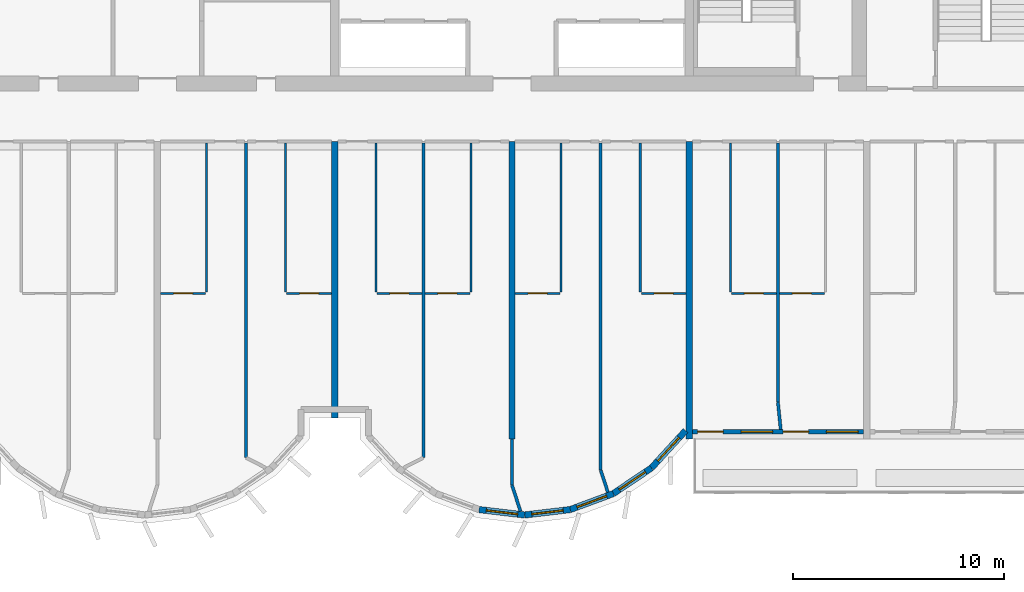
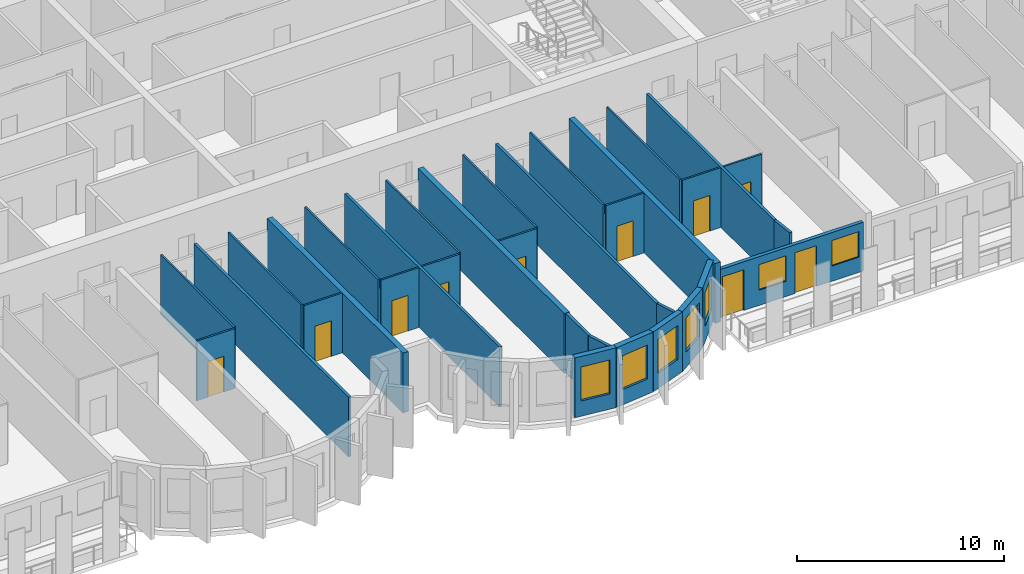
# One storey, part 5 of 13: 32 walls, 10 doors, 7 windows, 17 openings.
"""IFC4 building model written with IfcOpenShell, lengths in metres."""

from ifc_helpers import new_model, si_unit, direction, frame, frame_2d, origin, place, context, subcontext, project, spatial, rectangle, extrude, source, transform, mapped, material, layer, layer_set, type_object, element, fill, save


model = new_model("IFC4")

# Units and contexts
model_context = context("Model", 3, precision=1e-05, world=origin(), true_north=direction((0.0, 1.0)))
body_context = subcontext(model_context, "Body", "Model", "MODEL_VIEW")
ifc_project = project(units=[si_unit("LENGTHUNIT", "METRE"), si_unit("AREAUNIT", "SQUARE_METRE"), si_unit("VOLUMEUNIT", "CUBIC_METRE"), si_unit("PLANEANGLEUNIT", "RADIAN"), si_unit("MASSUNIT", "GRAM", prefix="KILO")], contexts=[model_context])

# Site, building, storey
site_placement = place(None, origin())
site = spatial("IfcSite", under=ifc_project, at=site_placement, CompositionType="ELEMENT")
building_placement = place(site_placement, origin())
building = spatial("IfcBuilding", under=site, at=building_placement, Name="Vanashikhar Sky Hotel", CompositionType="ELEMENT")
storey_placement = place(building_placement, frame((0.0, 0.0, 178.199951171875)))
storey = spatial("IfcBuildingStorey", under=building, at=storey_placement, Name="L43", CompositionType="ELEMENT", Elevation=178.199951171875)

# Walls
ifc_material_1 = material(Name="Concrete M60", Category="concrete")
ifc_layer_1 = layer(ifc_material_1, 0.300048828125)
ifc_layer_set_1 = layer_set([ifc_layer_1], Name="RC shear wall 300 Concrete M60")
wall_type_1 = type_object("IfcWallType", Name="RC shear wall 300 Concrete M60", PredefinedType="SHEAR", material=ifc_layer_set_1)
shared_shape_1 = source(origin(), body_context, "Body", "SweptSolid", [
    extrude(rectangle(XDim=14.10009765625, YDim=0.300048828125, at=frame_2d((7.050048828125, 0.0))), origin(), (0.0, 0.0, 1.0), 3.52001953125),
])
for number, where, z_axis, x_axis, name in (
    (1, (58.800048828125, 5.5, 0.0), (0.0, 0.0, 1.0), (0.0, 1.0, 0.0), "CW-L43-XW08-1"),
    (2, (67.199951171875, 5.5, 0.0), (0.0, 0.0, 1.0), (0.0, 1.0, 0.0), "CW-L43-XW09-1"),
):
    element("IfcWall", number, at=place(storey_placement, frame(where, z_axis=z_axis, x_axis=x_axis)), inside=storey, type_object=wall_type_1, Name=name, PredefinedType="SHEAR", context=body_context, shape_type="MappedRepresentation", body=[
        mapped(shared_shape_1, transform((0.0, 0.0, 0.0), scale=1.0)),
    ])
shared_shape_2 = source(origin(), body_context, "Body", "SweptSolid", [
    extrude(rectangle(XDim=13.10009765625, YDim=0.300048828125, at=frame_2d((6.550048828125, 0.0))), origin(), (0.0, 0.0, 1.0), 3.52001953125),
])
wall_1_placement = place(storey_placement, frame((50.39990234375, 6.5, 0.0), z_axis=(0.0, 0.0, 1.0), x_axis=(0.0, 1.0, 0.0)))
element("IfcWall", 3, at=wall_1_placement, inside=storey, type_object=wall_type_1, Name="CW-L43-XW07-1", PredefinedType="SHEAR", context=body_context, shape_type="MappedRepresentation", body=[
    mapped(shared_shape_2, transform((0.0, 0.0, 0.0), scale=1.0)),
])

# Wall, opening, window
ifc_material_2 = material(Name="Concrete M50", Category="concrete")
ifc_layer_2 = layer(ifc_material_2, 0.300048828125)
ifc_layer_set_2 = layer_set([ifc_layer_2], Name="Lobe wall 300")
wall_type_2 = type_object("IfcWallType", Name="Lobe wall 300", PredefinedType="SOLIDWALL", material=ifc_layer_set_2)
shared_shape_3 = source(origin(), body_context, "Body", "SweptSolid", [
    extrude(rectangle(XDim=2.398193359375, YDim=0.300048828125, at=frame_2d((1.19921875, 0.0))), origin(), (0.0, 0.0, 1.0), 3.52001953125),
])
wall_2_placement = place(storey_placement, frame((65.404296875, 4.13134765625, 0.0), z_axis=(0.0, 0.0, 1.0), x_axis=(0.675374189419, 0.737475222815, 0.0)))
wall_2 = element("IfcWall", 4, at=wall_2_placement, inside=storey, type_object=wall_type_2, Name="Lobe wall", PredefinedType="SOLIDWALL", context=body_context, shape_type="MappedRepresentation", body=[
    mapped(shared_shape_3, transform((0.0, 0.0, 0.0), scale=1.0)),
])
shared_shape_4 = source(origin(), body_context, "Body", "SweptSolid", [
    extrude(rectangle(XDim=1.5, YDim=2.0, at=frame_2d((0.75, 1.0))), frame((0.0, 0.16015625, 0.0), z_axis=(0.0, -1.0, 0.0), x_axis=(1.0, 0.0, 0.0)), (0.0, 0.0, 1.0), 0.320068359375),
])
opening_1_placement = place(wall_2_placement, frame((0.44921875, 0.0, 0.89990234375)))
opening_1 = element("IfcOpeningElement", 5, at=opening_1_placement, cuts=wall_2, Name="Opening WN-2", PredefinedType="OPENING", context=body_context, shape_type="MappedRepresentation", body=[
    mapped(shared_shape_4, transform((0.0, 0.0, 0.0), scale=1.0)),
])
ifc_material_3 = material(Name="Glass", Category="glass")
window_type_1 = type_object("IfcWindowType", Name="Lobe window 1500 x 2000", PartitioningType="SINGLE_PANEL", PredefinedType="WINDOW", material=ifc_material_3)
shared_shape_5 = source(origin(), body_context, "Body", "SweptSolid", [
    extrude(rectangle(XDim=1.5, YDim=2.0, at=frame_2d((0.75, 1.0))), frame((0.0, 0.030029296875, 0.0), z_axis=(0.0, -1.0, 0.0), x_axis=(1.0, 0.0, 0.0)), (0.0, 0.0, 1.0), 0.06005859375),
])
window_1_placement = place(opening_1_placement, origin())
window_1 = element("IfcWindow", 6, at=window_1_placement, inside=storey, type_object=window_type_1, Name="Window WN-2", OverallHeight=2.0, OverallWidth=1.5, PartitioningType="SINGLE_PANEL", PredefinedType="WINDOW", context=body_context, shape_type="MappedRepresentation", body=[
    mapped(shared_shape_5, transform((0.0, 0.0, 0.0), scale=1.0)),
])
fill(opening_1, window_1)

shared_shape_6 = source(origin(), body_context, "Body", "SweptSolid", [
    extrude(rectangle(XDim=2.17578125, YDim=0.300048828125, at=frame_2d((1.087890625, 0.0))), origin(), (0.0, 0.0, 1.0), 3.52001953125),
])
wall_3_placement = place(storey_placement, frame((63.59912109375, 2.91650390625, 0.0), z_axis=(0.0, 0.0, 1.0), x_axis=(0.829625727223, 0.558319937607, 0.0)))
wall_3 = element("IfcWall", 7, at=wall_3_placement, inside=storey, type_object=wall_type_2, Name="Lobe wall", PredefinedType="SOLIDWALL", context=body_context, shape_type="MappedRepresentation", body=[
    mapped(shared_shape_6, transform((0.0, 0.0, 0.0), scale=1.0)),
])
opening_2_placement = place(wall_3_placement, frame((0.337890625, 0.0, 0.89990234375)))
opening_2 = element("IfcOpeningElement", 8, at=opening_2_placement, cuts=wall_3, Name="Opening WN-2", PredefinedType="OPENING", context=body_context, shape_type="MappedRepresentation", body=[
    mapped(shared_shape_4, transform((0.0, 0.0, 0.0), scale=1.0)),
])
window_2_placement = place(opening_2_placement, origin())
window_2 = element("IfcWindow", 9, at=window_2_placement, inside=storey, type_object=window_type_1, Name="Window WN-2", OverallHeight=2.0, OverallWidth=1.5, PartitioningType="SINGLE_PANEL", PredefinedType="WINDOW", context=body_context, shape_type="MappedRepresentation", body=[
    mapped(shared_shape_5, transform((0.0, 0.0, 0.0), scale=1.0)),
])
fill(opening_2, window_2)

shared_shape_7 = source(origin(), body_context, "Body", "SweptSolid", [
    extrude(rectangle(XDim=2.174560546875, YDim=0.300048828125, at=frame_2d((1.08740234375, 0.0))), origin(), (0.0, 0.0, 1.0), 3.52001953125),
])
wall_4_placement = place(storey_placement, frame((57.240478515625, 2.15966796875, 0.0), z_axis=(0.0, 0.0, 1.0), x_axis=(0.993001132889, -0.118104826659, 0.0)))
wall_4 = element("IfcWall", 10, at=wall_4_placement, inside=storey, type_object=wall_type_2, Name="Lobe wall", PredefinedType="SOLIDWALL", context=body_context, shape_type="MappedRepresentation", body=[
    mapped(shared_shape_7, transform((0.0, 0.0, 0.0), scale=1.0)),
])
opening_3_placement = place(wall_4_placement, frame((0.33740234375, 0.0, 0.89990234375)))
opening_3 = element("IfcOpeningElement", 11, at=opening_3_placement, cuts=wall_4, Name="Opening WN-2", PredefinedType="OPENING", context=body_context, shape_type="MappedRepresentation", body=[
    mapped(shared_shape_4, transform((0.0, 0.0, 0.0), scale=1.0)),
])
window_3_placement = place(opening_3_placement, origin())
window_3 = element("IfcWindow", 12, at=window_3_placement, inside=storey, type_object=window_type_1, Name="Window WN-2", OverallHeight=2.0, OverallWidth=1.5, PartitioningType="SINGLE_PANEL", PredefinedType="WINDOW", context=body_context, shape_type="MappedRepresentation", body=[
    mapped(shared_shape_5, transform((0.0, 0.0, 0.0), scale=1.0)),
])
fill(opening_3, window_3)

shared_shape_8 = source(origin(), body_context, "Body", "SweptSolid", [
    extrude(rectangle(XDim=2.1748046875, YDim=0.300048828125, at=frame_2d((1.08740234375, 0.0))), origin(), (0.0, 0.0, 1.0), 3.52001953125),
])
wall_5_placement = place(storey_placement, frame((59.39990234375, 1.90283203125, 0.0), z_axis=(0.0, 0.0, 1.0), x_axis=(0.993002698611, 0.118091661648, 0.0)))
wall_5 = element("IfcWall", 13, at=wall_5_placement, inside=storey, type_object=wall_type_2, Name="Lobe wall", PredefinedType="SOLIDWALL", context=body_context, shape_type="MappedRepresentation", body=[
    mapped(shared_shape_8, transform((0.0, 0.0, 0.0), scale=1.0)),
])
opening_4_placement = place(wall_5_placement, frame((0.33740234375, 0.0, 0.89990234375)))
opening_4 = element("IfcOpeningElement", 14, at=opening_4_placement, cuts=wall_5, Name="Opening WN-2", PredefinedType="OPENING", context=body_context, shape_type="MappedRepresentation", body=[
    mapped(shared_shape_4, transform((0.0, 0.0, 0.0), scale=1.0)),
])
window_4_placement = place(opening_4_placement, origin())
window_4 = element("IfcWindow", 15, at=window_4_placement, inside=storey, type_object=window_type_1, Name="Window WN-2", OverallHeight=2.0, OverallWidth=1.5, PartitioningType="SINGLE_PANEL", PredefinedType="WINDOW", context=body_context, shape_type="MappedRepresentation", body=[
    mapped(shared_shape_5, transform((0.0, 0.0, 0.0), scale=1.0)),
])
fill(opening_4, window_4)

shared_shape_9 = source(origin(), body_context, "Body", "SweptSolid", [
    extrude(rectangle(XDim=2.175537109375, YDim=0.300048828125, at=frame_2d((1.087890625, 0.0))), origin(), (0.0, 0.0, 1.0), 3.52001953125),
])
wall_6_placement = place(storey_placement, frame((61.5595703125, 2.15966796875, 0.0), z_axis=(0.0, 0.0, 1.0), x_axis=(0.937531979054, 0.347899106424, 0.0)))
wall_6 = element("IfcWall", 16, at=wall_6_placement, inside=storey, type_object=wall_type_2, Name="Lobe wall", PredefinedType="SOLIDWALL", context=body_context, shape_type="MappedRepresentation", body=[
    mapped(shared_shape_9, transform((0.0, 0.0, 0.0), scale=1.0)),
])
opening_5_placement = place(wall_6_placement, frame((0.337890625, 0.0, 0.89990234375)))
opening_5 = element("IfcOpeningElement", 17, at=opening_5_placement, cuts=wall_6, Name="Opening WN-2", PredefinedType="OPENING", context=body_context, shape_type="MappedRepresentation", body=[
    mapped(shared_shape_4, transform((0.0, 0.0, 0.0), scale=1.0)),
])
window_5_placement = place(opening_5_placement, origin())
window_5 = element("IfcWindow", 18, at=window_5_placement, inside=storey, type_object=window_type_1, Name="Window WN-2", OverallHeight=2.0, OverallWidth=1.5, PartitioningType="SINGLE_PANEL", PredefinedType="WINDOW", context=body_context, shape_type="MappedRepresentation", body=[
    mapped(shared_shape_5, transform((0.0, 0.0, 0.0), scale=1.0)),
])
fill(opening_5, window_5)

# Wall, openings, windows, doors
ifc_layer_3 = layer(ifc_material_2, 0.199951171875)
ifc_layer_set_3 = layer_set([ifc_layer_3], Name="Front window wall 200")
wall_type_3 = type_object("IfcWallType", Name="Front window wall 200", PredefinedType="SOLIDWALL", material=ifc_layer_set_3)
shared_shape_10 = source(origin(), body_context, "Body", "SweptSolid", [
    extrude(rectangle(XDim=8.099853515625, YDim=0.199951171875, at=frame_2d((4.0498046875, 0.0))), origin(), (0.0, 0.0, 1.0), 2.8701171875),
])
wall_7_placement = place(storey_placement, frame((67.35009765625, 5.85009765625, 0.0), z_axis=(0.0, 0.0, 1.0), x_axis=(1.0, 0.0, 0.0)))
wall_7 = element("IfcWall", 19, at=wall_7_placement, inside=storey, type_object=wall_type_3, Name="Front window wall", PredefinedType="SOLIDWALL", context=body_context, shape_type="MappedRepresentation", body=[
    mapped(shared_shape_10, transform((0.0, 0.0, 0.0), scale=1.0)),
])
shared_shape_11 = source(origin(), body_context, "Body", "SweptSolid", [
    extrude(rectangle(XDim=1.199951171875, YDim=2.39990234375, at=frame_2d((0.60009765625, 1.199951171875))), frame((0.0, 0.10986328125, 0.0), z_axis=(0.0, -1.0, 0.0), x_axis=(1.0, 0.0, 0.0)), (0.0, 0.0, 1.0), 0.219970703125),
])
opening_6_placement = place(wall_7_placement, frame((0.25, 0.0, 0.0)))
opening_6 = element("IfcOpeningElement", 20, at=opening_6_placement, cuts=wall_7, Name="Opening BD-06", PredefinedType="OPENING", context=body_context, shape_type="MappedRepresentation", body=[
    mapped(shared_shape_11, transform((0.0, 0.0, 0.0), scale=1.0)),
])
shared_shape_12 = source(origin(), body_context, "Body", "SweptSolid", [
    extrude(rectangle(XDim=1.5, YDim=1.5, at=frame_2d((0.75, 0.75))), frame((0.0, 0.10986328125, 0.0), z_axis=(0.0, -1.0, 0.0), x_axis=(1.0, 0.0, 0.0)), (0.0, 0.0, 1.0), 0.219970703125),
])
opening_7_placement = place(wall_7_placement, frame((2.300048828125, 0.0, 0.89990234375)))
opening_7 = element("IfcOpeningElement", 21, at=opening_7_placement, cuts=wall_7, Name="Opening WN-1", PredefinedType="OPENING", context=body_context, shape_type="MappedRepresentation", body=[
    mapped(shared_shape_12, transform((0.0, 0.0, 0.0), scale=1.0)),
])
opening_8_placement = place(wall_7_placement, frame((4.300048828125, 0.0, 0.0)))
opening_8 = element("IfcOpeningElement", 22, at=opening_8_placement, cuts=wall_7, Name="Opening BD-07", PredefinedType="OPENING", context=body_context, shape_type="MappedRepresentation", body=[
    mapped(shared_shape_11, transform((0.0, 0.0, 0.0), scale=1.0)),
])
opening_9_placement = place(wall_7_placement, frame((6.35009765625, 0.0, 0.89990234375)))
opening_9 = element("IfcOpeningElement", 23, at=opening_9_placement, cuts=wall_7, Name="Opening WN-1", PredefinedType="OPENING", context=body_context, shape_type="MappedRepresentation", body=[
    mapped(shared_shape_12, transform((0.0, 0.0, 0.0), scale=1.0)),
])
window_type_2 = type_object("IfcWindowType", Name="Window 1500 x 1500", PartitioningType="SINGLE_PANEL", PredefinedType="WINDOW", material=ifc_material_3)
shared_shape_13 = source(origin(), body_context, "Body", "SweptSolid", [
    extrude(rectangle(XDim=1.5, YDim=1.5, at=frame_2d((0.75, 0.75))), frame((0.0, 0.030029296875, 0.0), z_axis=(0.0, -1.0, 0.0), x_axis=(1.0, 0.0, 0.0)), (0.0, 0.0, 1.0), 0.06005859375),
])
window_6_placement = place(opening_7_placement, origin())
window_6 = element("IfcWindow", 24, at=window_6_placement, inside=storey, type_object=window_type_2, Name="Window WN-1", OverallHeight=1.5, OverallWidth=1.5, PartitioningType="SINGLE_PANEL", PredefinedType="WINDOW", context=body_context, shape_type="MappedRepresentation", body=[
    mapped(shared_shape_13, transform((0.0, 0.0, 0.0), scale=1.0)),
])
fill(opening_7, window_6)
window_7_placement = place(opening_9_placement, origin())
window_7 = element("IfcWindow", 25, at=window_7_placement, inside=storey, type_object=window_type_2, Name="Window WN-1", OverallHeight=1.5, OverallWidth=1.5, PartitioningType="SINGLE_PANEL", PredefinedType="WINDOW", context=body_context, shape_type="MappedRepresentation", body=[
    mapped(shared_shape_13, transform((0.0, 0.0, 0.0), scale=1.0)),
])
fill(opening_9, window_7)
ifc_material_4 = material(Name="Aluminium", Category="aluminium")
door_type_1 = type_object("IfcDoorType", Name="Balcony sliding door 1200 x 2400", OperationType="NOTDEFINED", PredefinedType="DOOR", material=ifc_material_4)
shared_shape_14 = source(origin(), body_context, "Body", "SweptSolid", [
    extrude(rectangle(XDim=1.199951171875, YDim=2.39990234375, at=frame_2d((0.60009765625, 1.199951171875))), frame((0.0, 0.02490234375, 0.0), z_axis=(0.0, -1.0, 0.0), x_axis=(1.0, 0.0, 0.0)), (0.0, 0.0, 1.0), 0.050048828125),
])
door_1_placement = place(opening_6_placement, origin())
door_1 = element("IfcDoor", 26, at=door_1_placement, inside=storey, type_object=door_type_1, Name="Balcony sliding door", OperationType="SLIDING_TO_RIGHT", OverallHeight=2.39990234375, OverallWidth=1.199951171875, PredefinedType="DOOR", context=body_context, shape_type="MappedRepresentation", body=[
    mapped(shared_shape_14, transform((0.0, 0.0, 0.0), scale=1.0)),
])
fill(opening_6, door_1)
door_2_placement = place(opening_8_placement, origin())
door_2 = element("IfcDoor", 27, at=door_2_placement, inside=storey, type_object=door_type_1, Name="Balcony sliding door", OperationType="SLIDING_TO_LEFT", OverallHeight=2.39990234375, OverallWidth=1.199951171875, PredefinedType="DOOR", context=body_context, shape_type="MappedRepresentation", body=[
    mapped(shared_shape_14, transform((0.0, 0.0, 0.0), scale=1.0)),
])
fill(opening_8, door_2)

# Walls
ifc_material_5 = material(Name="Gypsum plasterboard partition")
ifc_layer_4 = layer(ifc_material_5, 0.10009765625)
ifc_layer_set_4 = layer_set([ifc_layer_4], Name="Wet room partition 100")
wall_type_4 = type_object("IfcWallType", Name="Wet room partition 100", PredefinedType="PARTITIONING", material=ifc_layer_set_4)
shared_shape_15 = source(origin(), body_context, "Body", "SweptSolid", [
    extrude(rectangle(XDim=7.0498046875, YDim=0.10009765625, at=frame_2d((3.52490234375, 0.0))), origin(), (0.0, 0.0, 1.0), 3.52001953125),
])
for number, where, z_axis, x_axis, name in (
    (28, (44.324951171875, 12.47509765625, 0.0), (0.0, 0.0, 1.0), (0.0, 1.0, 0.0), "W-L43-PW027"),
    (29, (48.074951171875, 12.47509765625, 0.0), (0.0, 0.0, 1.0), (0.0, 1.0, 0.0), "W-L43-PW030"),
    (30, (52.35009765625, 12.47509765625, 0.0), (0.0, 0.0, 1.0), (0.0, 1.0, 0.0), "W-L43-PW034"),
    (31, (56.85009765625, 12.47509765625, 0.0), (0.0, 0.0, 1.0), (0.0, 1.0, 0.0), "W-L43-PW037"),
    (32, (61.125, 12.47509765625, 0.0), (0.0, 0.0, 1.0), (0.0, 1.0, 0.0), "W-L43-PW041"),
    (33, (64.875, 12.47509765625, 0.0), (0.0, 0.0, 1.0), (0.0, 1.0, 0.0), "W-L43-PW044"),
    (34, (69.14990234375, 12.47509765625, 0.0), (0.0, 0.0, 1.0), (0.0, 1.0, 0.0), "W-L43-PW048"),
):
    element("IfcWall", number, at=place(storey_placement, frame(where, z_axis=z_axis, x_axis=x_axis)), inside=storey, type_object=wall_type_4, Name=name, PredefinedType="PARTITIONING", context=body_context, shape_type="MappedRepresentation", body=[
        mapped(shared_shape_15, transform((0.0, 0.0, 0.0), scale=1.0)),
    ])
ifc_layer_5 = layer(ifc_material_5, 0.14990234375)
ifc_layer_set_5 = layer_set([ifc_layer_5], Name="Corridor and demising partition 150")
wall_type_5 = type_object("IfcWallType", Name="Corridor and demising partition 150", PredefinedType="PARTITIONING", material=ifc_layer_set_5)
shared_shape_16 = source(origin(), body_context, "Body", "SweptSolid", [
    extrude(rectangle(XDim=2.177978515625, YDim=0.14990234375, at=frame_2d((1.0888671875, 0.0))), origin(), (0.0, 0.0, 1.0), 3.52001953125),
])
wall_8_placement = place(storey_placement, frame((58.800048828125, 3.322021484375, 0.0), z_axis=(0.0, 0.0, 1.0), x_axis=(0.0, 1.0, 0.0)))
element("IfcWall", 35, at=wall_8_placement, inside=storey, type_object=wall_type_5, Name="W-L43-PW070", PredefinedType="PARTITIONING", context=body_context, shape_type="MappedRepresentation", body=[
    mapped(shared_shape_16, transform((0.0, 0.0, 0.0), scale=1.0)),
])
shared_shape_17 = source(origin(), body_context, "Body", "SweptSolid", [
    extrude(rectangle(XDim=1.100830078125, YDim=0.14990234375, at=frame_2d((0.55029296875, 0.0))), origin(), (0.0, 0.0, 1.0), 3.52001953125),
])
wall_9_placement = place(storey_placement, frame((63.343017578125, 2.98095703125, 0.0), z_axis=(0.0, 0.0, 1.0), x_axis=(-0.311567081539, 0.950224159712, 0.0)))
element("IfcWall", 36, at=wall_9_placement, inside=storey, type_object=wall_type_5, Name="W-L43-PW047B0", PredefinedType="PARTITIONING", context=body_context, shape_type="MappedRepresentation", body=[
    mapped(shared_shape_17, transform((0.0, 0.0, 0.0), scale=1.0)),
])
shared_shape_18 = source(origin(), body_context, "Body", "SweptSolid", [
    extrude(rectangle(XDim=1.308349609375, YDim=0.14990234375, at=frame_2d((0.654296875, 0.0))), origin(), (0.0, 0.0, 1.0), 3.52001953125),
])
wall_10_placement = place(storey_placement, frame((59.201904296875, 2.076904296875, 0.0), z_axis=(0.0, 0.0, 1.0), x_axis=(-0.307144529633, 0.951662880392, 0.0)))
element("IfcWall", 37, at=wall_10_placement, inside=storey, type_object=wall_type_5, Name="W-L43-PW070B0", PredefinedType="PARTITIONING", context=body_context, shape_type="MappedRepresentation", body=[
    mapped(shared_shape_18, transform((0.0, 0.0, 0.0), scale=1.0)),
])
shared_shape_19 = source(origin(), body_context, "Body", "SweptSolid", [
    extrude(rectangle(XDim=12.27490234375, YDim=0.14990234375, at=frame_2d((6.137451171875, 0.0))), origin(), (0.0, 0.0, 1.0), 3.52001953125),
])
wall_11_placement = place(storey_placement, frame((71.39990234375, 7.25, 0.0), z_axis=(0.0, 0.0, 1.0), x_axis=(0.0, 1.0, 0.0)))
element("IfcWall", 38, at=wall_11_placement, inside=storey, type_object=wall_type_5, Name="W-L43-PW054", PredefinedType="PARTITIONING", context=body_context, shape_type="MappedRepresentation", body=[
    mapped(shared_shape_19, transform((0.0, 0.0, 0.0), scale=1.0)),
])
shared_shape_20 = source(origin(), body_context, "Body", "SweptSolid", [
    extrude(rectangle(XDim=15.497802734375, YDim=0.14990234375, at=frame_2d((7.7490234375, 0.0))), origin(), (0.0, 0.0, 1.0), 3.52001953125),
])
wall_12_placement = place(storey_placement, frame((63.0, 4.027099609375, 0.0), z_axis=(0.0, 0.0, 1.0), x_axis=(0.0, 1.0, 0.0)))
element("IfcWall", 39, at=wall_12_placement, inside=storey, type_object=wall_type_5, Name="W-L43-PW047", PredefinedType="PARTITIONING", context=body_context, shape_type="MappedRepresentation", body=[
    mapped(shared_shape_20, transform((0.0, 0.0, 0.0), scale=1.0)),
])
shared_shape_21 = source(origin(), body_context, "Body", "SweptSolid", [
    extrude(rectangle(XDim=14.906005859375, YDim=0.14990234375, at=frame_2d((7.453125, 0.0))), origin(), (0.0, 0.0, 1.0), 3.52001953125),
])
for number, where, z_axis, x_axis, name in (
    (40, (46.199951171875, 4.618896484375, 0.0), (0.0, 0.0, 1.0), (0.0, 1.0, 0.0), "W-L43-PW033"),
    (41, (54.60009765625, 4.618896484375, 0.0), (0.0, 0.0, 1.0), (0.0, 1.0, 0.0), "W-L43-PW040"),
):
    element("IfcWall", number, at=place(storey_placement, frame(where, z_axis=z_axis, x_axis=x_axis)), inside=storey, type_object=wall_type_5, Name=name, PredefinedType="PARTITIONING", context=body_context, shape_type="MappedRepresentation", body=[
        mapped(shared_shape_21, transform((0.0, 0.0, 0.0), scale=1.0)),
    ])
shared_shape_22 = source(origin(), body_context, "Body", "SweptSolid", [
    extrude(rectangle(XDim=1.306640625, YDim=0.14990234375, at=frame_2d((0.6533203125, 0.0))), origin(), (0.0, 0.0, 1.0), 3.52001953125),
])
wall_13_placement = place(storey_placement, frame((71.530029296875, 5.949951171875, 0.0), z_axis=(0.0, 0.0, 1.0), x_axis=(-0.099596223396, 0.99502793543, 0.0)))
element("IfcWall", 42, at=wall_13_placement, inside=storey, type_object=wall_type_5, Name="W-L43-PW054B0", PredefinedType="PARTITIONING", context=body_context, shape_type="MappedRepresentation", body=[
    mapped(shared_shape_22, transform((0.0, 0.0, 0.0), scale=1.0)),
])

# Wall, opening, door
shared_shape_23 = source(origin(), body_context, "Body", "SweptSolid", [
    extrude(rectangle(XDim=2.125, YDim=0.10009765625, at=frame_2d((1.0625, 0.0))), origin(), (0.0, 0.0, 1.0), 3.52001953125),
])
wall_14_placement = place(storey_placement, frame((42.14990234375, 12.39990234375, 0.0), z_axis=(0.0, 0.0, 1.0), x_axis=(1.0, 0.0, 0.0)))
wall_14 = element("IfcWall", 43, at=wall_14_placement, inside=storey, type_object=wall_type_4, Name="W-L43-PW028", PredefinedType="PARTITIONING", context=body_context, shape_type="MappedRepresentation", body=[
    mapped(shared_shape_23, transform((0.0, 0.0, 0.0), scale=1.0)),
])
shared_shape_24 = source(origin(), body_context, "Body", "SweptSolid", [
    extrude(rectangle(XDim=0.89990234375, YDim=2.10009765625, at=frame_2d((0.449951171875, 1.050048828125))), frame((0.0, 0.06005859375, 0.0), z_axis=(0.0, -1.0, 0.0), x_axis=(1.0, 0.0, 0.0)), (0.0, 0.0, 1.0), 0.1201171875),
])
opening_10_placement = place(wall_14_placement, frame((0.613037109375, 0.0, 0.0)))
opening_10 = element("IfcOpeningElement", 44, at=opening_10_placement, cuts=wall_14, Name="Opening D-02", PredefinedType="OPENING", context=body_context, shape_type="MappedRepresentation", body=[
    mapped(shared_shape_24, transform((0.0, 0.0, 0.0), scale=1.0)),
])
ifc_material_6 = material(Name="Timber door", Category="wood")
door_type_2 = type_object("IfcDoorType", Name="Internal door 900", OperationType="NOTDEFINED", PredefinedType="DOOR", material=ifc_material_6)
shared_shape_25 = source(origin(), body_context, "Body", "SweptSolid", [
    extrude(rectangle(XDim=0.89990234375, YDim=2.10009765625, at=frame_2d((0.449951171875, 1.050048828125))), frame((0.0, 0.02490234375, 0.0), z_axis=(0.0, -1.0, 0.0), x_axis=(1.0, 0.0, 0.0)), (0.0, 0.0, 1.0), 0.050048828125),
])
door_3_placement = place(opening_10_placement, origin())
door_3 = element("IfcDoor", 45, at=door_3_placement, inside=storey, type_object=door_type_2, Name="D-L43-016", OperationType="SINGLE_SWING_RIGHT", OverallHeight=2.10009765625, OverallWidth=0.89990234375, PredefinedType="DOOR", context=body_context, shape_type="MappedRepresentation", body=[
    mapped(shared_shape_25, transform((0.0, 0.0, 0.0), scale=1.0)),
])
fill(opening_10, door_3)

wall_15_placement = place(storey_placement, frame((48.125, 12.39990234375, 0.0), z_axis=(0.0, 0.0, 1.0), x_axis=(1.0, 0.0, 0.0)))
wall_15 = element("IfcWall", 46, at=wall_15_placement, inside=storey, type_object=wall_type_4, Name="W-L43-PW031", PredefinedType="PARTITIONING", context=body_context, shape_type="MappedRepresentation", body=[
    mapped(shared_shape_23, transform((0.0, 0.0, 0.0), scale=1.0)),
])
opening_11_placement = place(wall_15_placement, frame((0.612060546875, 0.0, 0.0)))
opening_11 = element("IfcOpeningElement", 47, at=opening_11_placement, cuts=wall_15, Name="Opening D-02", PredefinedType="OPENING", context=body_context, shape_type="MappedRepresentation", body=[
    mapped(shared_shape_24, transform((0.0, 0.0, 0.0), scale=1.0)),
])
door_4_placement = place(opening_11_placement, origin())
door_4 = element("IfcDoor", 48, at=door_4_placement, inside=storey, type_object=door_type_2, Name="D-L43-018", OperationType="SINGLE_SWING_LEFT", OverallHeight=2.10009765625, OverallWidth=0.89990234375, PredefinedType="DOOR", context=body_context, shape_type="MappedRepresentation", body=[
    mapped(shared_shape_25, transform((0.0, 0.0, 0.0), scale=1.0)),
])
fill(opening_11, door_4)

wall_16_placement = place(storey_placement, frame((52.39990234375, 12.39990234375, 0.0), z_axis=(0.0, 0.0, 1.0), x_axis=(1.0, 0.0, 0.0)))
wall_16 = element("IfcWall", 49, at=wall_16_placement, inside=storey, type_object=wall_type_4, Name="W-L43-PW035", PredefinedType="PARTITIONING", context=body_context, shape_type="MappedRepresentation", body=[
    mapped(shared_shape_23, transform((0.0, 0.0, 0.0), scale=1.0)),
])
opening_12_placement = place(wall_16_placement, frame((0.612060546875, 0.0, 0.0)))
opening_12 = element("IfcOpeningElement", 50, at=opening_12_placement, cuts=wall_16, Name="Opening D-02", PredefinedType="OPENING", context=body_context, shape_type="MappedRepresentation", body=[
    mapped(shared_shape_24, transform((0.0, 0.0, 0.0), scale=1.0)),
])
door_5_placement = place(opening_12_placement, origin())
door_5 = element("IfcDoor", 51, at=door_5_placement, inside=storey, type_object=door_type_2, Name="D-L43-020", OperationType="SINGLE_SWING_LEFT", OverallHeight=2.10009765625, OverallWidth=0.89990234375, PredefinedType="DOOR", context=body_context, shape_type="MappedRepresentation", body=[
    mapped(shared_shape_25, transform((0.0, 0.0, 0.0), scale=1.0)),
])
fill(opening_12, door_5)

wall_17_placement = place(storey_placement, frame((54.675048828125, 12.39990234375, 0.0), z_axis=(0.0, 0.0, 1.0), x_axis=(1.0, 0.0, 0.0)))
wall_17 = element("IfcWall", 52, at=wall_17_placement, inside=storey, type_object=wall_type_4, Name="W-L43-PW038", PredefinedType="PARTITIONING", context=body_context, shape_type="MappedRepresentation", body=[
    mapped(shared_shape_23, transform((0.0, 0.0, 0.0), scale=1.0)),
])
opening_13_placement = place(wall_17_placement, frame((0.613037109375, 0.0, 0.0)))
opening_13 = element("IfcOpeningElement", 53, at=opening_13_placement, cuts=wall_17, Name="Opening D-02", PredefinedType="OPENING", context=body_context, shape_type="MappedRepresentation", body=[
    mapped(shared_shape_24, transform((0.0, 0.0, 0.0), scale=1.0)),
])
door_6_placement = place(opening_13_placement, origin())
door_6 = element("IfcDoor", 54, at=door_6_placement, inside=storey, type_object=door_type_2, Name="D-L43-022", OperationType="SINGLE_SWING_RIGHT", OverallHeight=2.10009765625, OverallWidth=0.89990234375, PredefinedType="DOOR", context=body_context, shape_type="MappedRepresentation", body=[
    mapped(shared_shape_25, transform((0.0, 0.0, 0.0), scale=1.0)),
])
fill(opening_13, door_6)

wall_18_placement = place(storey_placement, frame((58.949951171875, 12.39990234375, 0.0), z_axis=(0.0, 0.0, 1.0), x_axis=(1.0, 0.0, 0.0)))
wall_18 = element("IfcWall", 55, at=wall_18_placement, inside=storey, type_object=wall_type_4, Name="W-L43-PW042", PredefinedType="PARTITIONING", context=body_context, shape_type="MappedRepresentation", body=[
    mapped(shared_shape_23, transform((0.0, 0.0, 0.0), scale=1.0)),
])
opening_14_placement = place(wall_18_placement, frame((0.612060546875, 0.0, 0.0)))
opening_14 = element("IfcOpeningElement", 56, at=opening_14_placement, cuts=wall_18, Name="Opening D-02", PredefinedType="OPENING", context=body_context, shape_type="MappedRepresentation", body=[
    mapped(shared_shape_24, transform((0.0, 0.0, 0.0), scale=1.0)),
])
door_7_placement = place(opening_14_placement, origin())
door_7 = element("IfcDoor", 57, at=door_7_placement, inside=storey, type_object=door_type_2, Name="D-L43-024", OperationType="SINGLE_SWING_RIGHT", OverallHeight=2.10009765625, OverallWidth=0.89990234375, PredefinedType="DOOR", context=body_context, shape_type="MappedRepresentation", body=[
    mapped(shared_shape_25, transform((0.0, 0.0, 0.0), scale=1.0)),
])
fill(opening_14, door_7)

wall_19_placement = place(storey_placement, frame((64.925048828125, 12.39990234375, 0.0), z_axis=(0.0, 0.0, 1.0), x_axis=(1.0, 0.0, 0.0)))
wall_19 = element("IfcWall", 58, at=wall_19_placement, inside=storey, type_object=wall_type_4, Name="W-L43-PW045", PredefinedType="PARTITIONING", context=body_context, shape_type="MappedRepresentation", body=[
    mapped(shared_shape_23, transform((0.0, 0.0, 0.0), scale=1.0)),
])
opening_15_placement = place(wall_19_placement, frame((0.612060546875, 0.0, 0.0)))
opening_15 = element("IfcOpeningElement", 59, at=opening_15_placement, cuts=wall_19, Name="Opening D-02", PredefinedType="OPENING", context=body_context, shape_type="MappedRepresentation", body=[
    mapped(shared_shape_24, transform((0.0, 0.0, 0.0), scale=1.0)),
])
door_8_placement = place(opening_15_placement, origin())
door_8 = element("IfcDoor", 60, at=door_8_placement, inside=storey, type_object=door_type_2, Name="D-L43-026", OperationType="SINGLE_SWING_LEFT", OverallHeight=2.10009765625, OverallWidth=0.89990234375, PredefinedType="DOOR", context=body_context, shape_type="MappedRepresentation", body=[
    mapped(shared_shape_25, transform((0.0, 0.0, 0.0), scale=1.0)),
])
fill(opening_15, door_8)

wall_20_placement = place(storey_placement, frame((69.199951171875, 12.39990234375, 0.0), z_axis=(0.0, 0.0, 1.0), x_axis=(1.0, 0.0, 0.0)))
wall_20 = element("IfcWall", 61, at=wall_20_placement, inside=storey, type_object=wall_type_4, Name="W-L43-PW049", PredefinedType="PARTITIONING", context=body_context, shape_type="MappedRepresentation", body=[
    mapped(shared_shape_23, transform((0.0, 0.0, 0.0), scale=1.0)),
])
opening_16_placement = place(wall_20_placement, frame((0.612060546875, 0.0, 0.0)))
opening_16 = element("IfcOpeningElement", 62, at=opening_16_placement, cuts=wall_20, Name="Opening D-02", PredefinedType="OPENING", context=body_context, shape_type="MappedRepresentation", body=[
    mapped(shared_shape_24, transform((0.0, 0.0, 0.0), scale=1.0)),
])
door_9_placement = place(opening_16_placement, origin())
door_9 = element("IfcDoor", 63, at=door_9_placement, inside=storey, type_object=door_type_2, Name="D-L43-028", OperationType="SINGLE_SWING_LEFT", OverallHeight=2.10009765625, OverallWidth=0.89990234375, PredefinedType="DOOR", context=body_context, shape_type="MappedRepresentation", body=[
    mapped(shared_shape_25, transform((0.0, 0.0, 0.0), scale=1.0)),
])
fill(opening_16, door_9)

wall_21_placement = place(storey_placement, frame((71.47509765625, 12.39990234375, 0.0), z_axis=(0.0, 0.0, 1.0), x_axis=(1.0, 0.0, 0.0)))
wall_21 = element("IfcWall", 64, at=wall_21_placement, inside=storey, type_object=wall_type_4, Name="W-L43-PW052", PredefinedType="PARTITIONING", context=body_context, shape_type="MappedRepresentation", body=[
    mapped(shared_shape_23, transform((0.0, 0.0, 0.0), scale=1.0)),
])
opening_17_placement = place(wall_21_placement, frame((0.613037109375, 0.0, 0.0)))
opening_17 = element("IfcOpeningElement", 65, at=opening_17_placement, cuts=wall_21, Name="Opening D-02", PredefinedType="OPENING", context=body_context, shape_type="MappedRepresentation", body=[
    mapped(shared_shape_24, transform((0.0, 0.0, 0.0), scale=1.0)),
])
door_10_placement = place(opening_17_placement, origin())
door_10 = element("IfcDoor", 66, at=door_10_placement, inside=storey, type_object=door_type_2, Name="D-L43-030", OperationType="SINGLE_SWING_RIGHT", OverallHeight=2.10009765625, OverallWidth=0.89990234375, PredefinedType="DOOR", context=body_context, shape_type="MappedRepresentation", body=[
    mapped(shared_shape_25, transform((0.0, 0.0, 0.0), scale=1.0)),
])
fill(opening_17, door_10)

save(model, "model.ifc")
